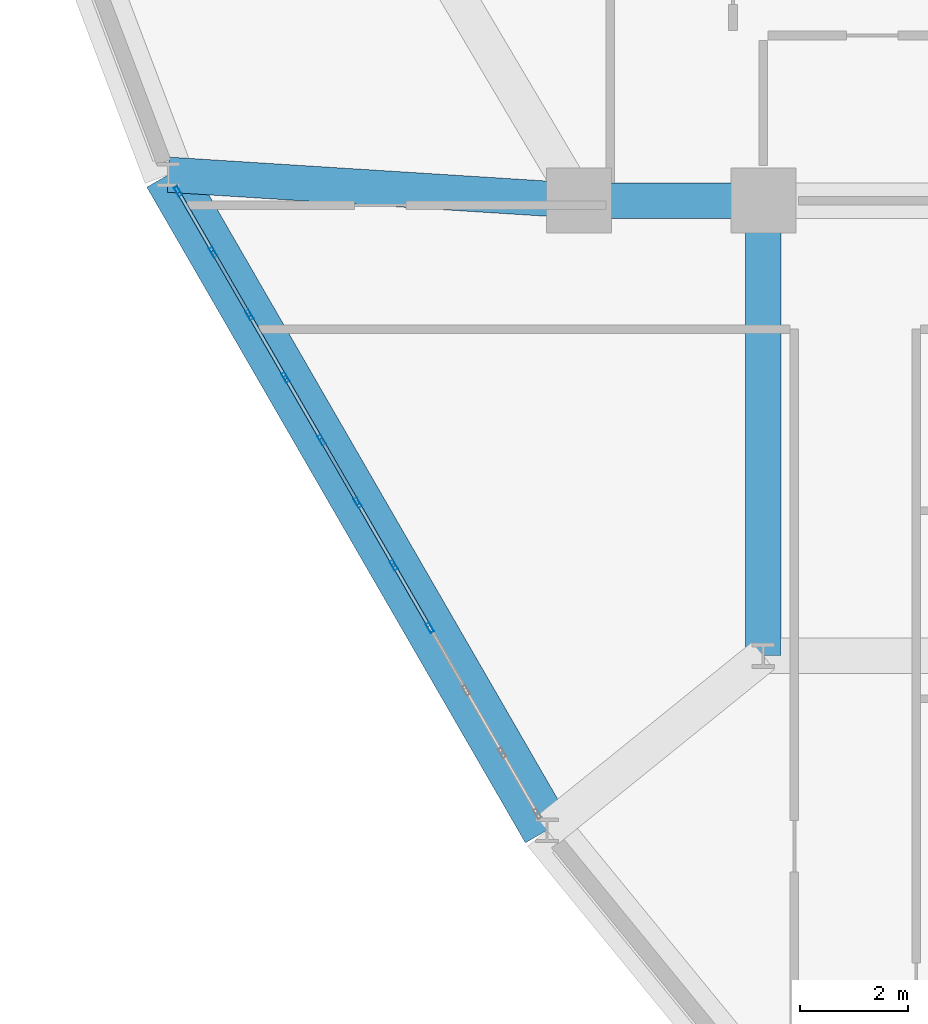
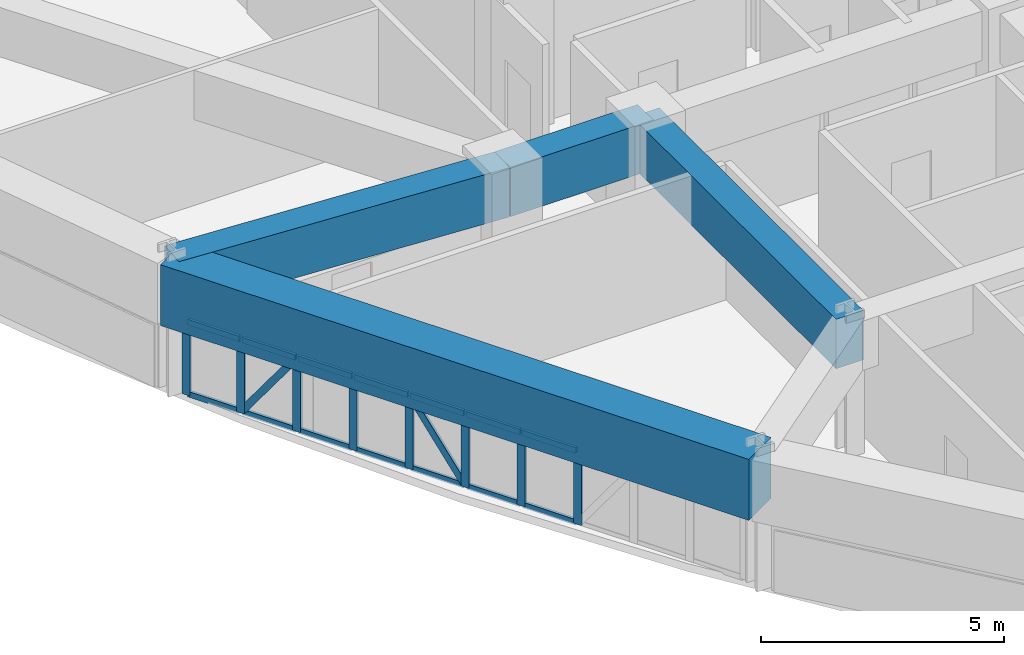
# One storey, part 4 of 15: 24 members, 4 beams, 1 element without a shape of its own.
"""IFC4 building model written with IfcOpenShell, lengths in metres."""

from ifc_helpers import new_model, si_unit, derived_unit, direction, frame, origin, origin_2d, place, context, subcontext, project, spatial, rectangle, hollow_rectangle, extrude, source, transform, mapped, material, layer, layer_set, material_profile, profile_set, type_object, element, aggregate, save


model = new_model("IFC4")

# Units and contexts
model_context = context("Model", 3, precision=1e-05, world=origin(), true_north=direction((0.0, 1.0)))
body_context = subcontext(model_context, "Body", "Model", "MODEL_VIEW")
ifc_project = project(units=[si_unit("LENGTHUNIT", "METRE"), si_unit("AREAUNIT", "SQUARE_METRE"), si_unit("VOLUMEUNIT", "CUBIC_METRE"), si_unit("PLANEANGLEUNIT", "RADIAN"), si_unit("MASSUNIT", "GRAM", prefix="KILO"), derived_unit("THERMALTRANSMITTANCEUNIT", [(si_unit("POWERUNIT", "WATT"), 1), (si_unit("LENGTHUNIT", "METRE"), -2), (si_unit("THERMODYNAMICTEMPERATUREUNIT", "KELVIN"), -1)])], contexts=[model_context])

# Site, building, storey
site_placement = place(None, origin())
site = spatial("IfcSite", under=ifc_project, at=site_placement, CompositionType="ELEMENT")
building_placement = place(site_placement, origin())
building = spatial("IfcBuilding", under=site, at=building_placement, Name="Korsvarv Bourse and Concert Hall", CompositionType="ELEMENT")
storey_placement = place(building_placement, frame((0.0, 0.0, 109.800048828125)))
storey = spatial("IfcBuildingStorey", under=building, at=storey_placement, Name="L27", CompositionType="ELEMENT", Elevation=109.800048828125)

# Beams
ifc_material_1 = material(Name="Concrete C50/60", Category="concrete")
ifc_material_profile_1 = material_profile(ifc_material_1, rectangle(XDim=0.64990234375, YDim=1.239990234375, at=origin_2d()), Name="RC-BM 650x1240")
ifc_profile_set_1 = profile_set([ifc_material_profile_1], Name="Concrete C50/60")
beam_type_1 = type_object("IfcBeamType", Name="BM-TR-SPN", PredefinedType="BEAM", material=ifc_profile_set_1)
shared_shape_1 = source(origin(), body_context, "Body", "SweptSolid", [
    extrude(rectangle(XDim=0.64990234375, YDim=1.239990234375, at=origin_2d()), origin(), (0.0, 0.0, 1.0), 3.400146484375),
])
beam_1_placement = place(storey_placement, frame((24.199951171875, 32.39990234375, 2.780029296875), z_axis=(1.0, 0.0, 0.0), x_axis=(0.0, 1.0, 0.0)))
element("IfcBeam", 1, at=beam_1_placement, inside=storey, type_object=beam_type_1, Name="L27 beam B-TRS", PredefinedType="BEAM", context=body_context, shape_type="MappedRepresentation", body=[
    mapped(shared_shape_1, transform((0.0, 0.0, 0.0), scale=1.0)),
])
shared_shape_2 = source(origin(), body_context, "Body", "SweptSolid", [
    extrude(rectangle(XDim=0.64990234375, YDim=1.239990234375, at=origin_2d()), origin(), (0.0, 0.0, 1.0), 8.39990234375),
])
beam_2_placement = place(storey_placement, frame((27.60009765625, 24.0, 2.780029296875), z_axis=(0.0, 1.0, 0.0), x_axis=(-1.0, 0.0, 0.0)))
element("IfcBeam", 2, at=beam_2_placement, inside=storey, type_object=beam_type_1, Name="L27 beam B-TRS", PredefinedType="BEAM", context=body_context, shape_type="MappedRepresentation", body=[
    mapped(shared_shape_2, transform((0.0, 0.0, 0.0), scale=1.0)),
])
ifc_material_profile_2 = material_profile(ifc_material_1, rectangle(XDim=0.919921875, YDim=1.530029296875, at=origin_2d()), Name="RC-BM 920x1530")
ifc_profile_set_2 = profile_set([ifc_material_profile_2], Name="Concrete C50/60")
beam_type_2 = type_object("IfcBeamType", Name="BM-TR-154", PredefinedType="BEAM", material=ifc_profile_set_2)
shared_shape_3 = source(origin(), body_context, "Body", "SweptSolid", [
    extrude(rectangle(XDim=0.919921875, YDim=1.530029296875, at=origin_2d()), origin(), (0.0, 0.0, 1.0), 13.97607421875),
])
beam_3_placement = place(storey_placement, frame((16.619140625, 32.87939453125, 2.635009765625), z_axis=(0.500003708422, -0.866023262716, 0.0), x_axis=(0.866023262716, 0.500003708422, 0.0)))
element("IfcBeam", 3, at=beam_3_placement, inside=storey, type_object=beam_type_2, Name="L27 beam B-TR6", PredefinedType="BEAM", context=body_context, shape_type="MappedRepresentation", body=[
    mapped(shared_shape_3, transform((0.0, 0.0, 0.0), scale=1.0)),
])
shared_shape_4 = source(origin(), body_context, "Body", "SweptSolid", [
    extrude(rectangle(XDim=0.64990234375, YDim=1.239990234375, at=origin_2d()), origin(), (0.0, 0.0, 1.0), 7.595947265625),
])
beam_4_placement = place(storey_placement, frame((16.619140625, 32.87939453125, 2.780029296875), z_axis=(0.998005651397, -0.063124636867, 0.0), x_axis=(0.063124636867, 0.998005651397, 0.0)))
element("IfcBeam", 4, at=beam_4_placement, inside=storey, type_object=beam_type_1, Name="L27 beam B-TRS", PredefinedType="BEAM", context=body_context, shape_type="MappedRepresentation", body=[
    mapped(shared_shape_4, transform((0.0, 0.0, 0.0), scale=1.0)),
])

# Curtain wall, members
ifc_material_2 = material(Name="Anodised aluminium and triple low-E glazing", Category="glass")
ifc_layer = layer(ifc_material_2, 0.2099609375)
ifc_layer_set = layer_set([ifc_layer], Name="Anodised aluminium and triple low-E glazing")
curtain_wall_type = type_object("IfcCurtainWallType", Name="CW-SYS-2", PredefinedType="NOTDEFINED", material=ifc_layer_set)
curtain_wall_placement = place(storey_placement, origin())
curtain_wall = element("IfcCurtainWall", 5, at=curtain_wall_placement, inside=storey, type_object=curtain_wall_type, Name="L27 CW2 curtain wall CW-L27-F07", PredefinedType="NOTDEFINED")
ifc_material_3 = material(Name="Extruded aluminium EN AW-6063 T66", Category="aluminium")
ifc_material_profile_3 = material_profile(ifc_material_3, hollow_rectangle(XDim=0.070068359375, YDim=0.18994140625, WallThickness=0.0048828125, at=origin_2d()), Name="ALU-M 70x190")
ifc_profile_set_3 = profile_set([ifc_material_profile_3], Name="Extruded aluminium EN AW-6063 T66")
member_type_1 = type_object("IfcMemberType", Name="CWM-190", PredefinedType="MULLION", material=ifc_profile_set_3)
shared_shape_5 = source(origin(), body_context, "Body", "SweptSolid", [
    extrude(hollow_rectangle(XDim=0.070068359375, YDim=0.18994140625, WallThickness=0.0048828125, at=origin_2d()), origin(), (0.0, 0.0, 1.0), 1.869873046875),
])
member_1_placement = place(storey_placement, frame((16.796875, 32.57177734375, 0.0), z_axis=(0.0, 0.0, 1.0), x_axis=(0.866021744853, 0.500006337402, 0.0)))
member_1 = element("IfcMember", 6, at=member_1_placement, type_object=member_type_1, Name="CW2 mullion 1", PredefinedType="MULLION", context=body_context, shape_type="MappedRepresentation", body=[
    mapped(shared_shape_5, transform((0.0, 0.0, 0.0), scale=1.0)),
])
member_2_placement = place(storey_placement, frame((17.446044921875, 31.447021484375, 0.0), z_axis=(0.0, 0.0, 1.0), x_axis=(0.866021744853, 0.500006337402, 0.0)))
member_2 = element("IfcMember", 7, at=member_2_placement, type_object=member_type_1, Name="CW2 mullion 2", PredefinedType="MULLION", context=body_context, shape_type="MappedRepresentation", body=[
    mapped(shared_shape_5, transform((0.0, 0.0, 0.0), scale=1.0)),
])
member_3_placement = place(storey_placement, frame((18.11279296875, 30.292236328125, 0.0), z_axis=(0.0, 0.0, 1.0), x_axis=(0.866021744853, 0.500006337402, 0.0)))
member_3 = element("IfcMember", 8, at=member_3_placement, type_object=member_type_1, Name="CW2 mullion 3", PredefinedType="MULLION", context=body_context, shape_type="MappedRepresentation", body=[
    mapped(shared_shape_5, transform((0.0, 0.0, 0.0), scale=1.0)),
])
member_4_placement = place(storey_placement, frame((18.779541015625, 29.137451171875, 0.0), z_axis=(0.0, 0.0, 1.0), x_axis=(0.866021744853, 0.500006337402, 0.0)))
member_4 = element("IfcMember", 9, at=member_4_placement, type_object=member_type_1, Name="CW2 mullion 4", PredefinedType="MULLION", context=body_context, shape_type="MappedRepresentation", body=[
    mapped(shared_shape_5, transform((0.0, 0.0, 0.0), scale=1.0)),
])
member_5_placement = place(storey_placement, frame((19.4462890625, 27.982666015625, 0.0), z_axis=(0.0, 0.0, 1.0), x_axis=(0.866021744853, 0.500006337402, 0.0)))
member_5 = element("IfcMember", 10, at=member_5_placement, type_object=member_type_1, Name="CW2 mullion 5", PredefinedType="MULLION", context=body_context, shape_type="MappedRepresentation", body=[
    mapped(shared_shape_5, transform((0.0, 0.0, 0.0), scale=1.0)),
])
member_6_placement = place(storey_placement, frame((20.113037109375, 26.82763671875, 0.0), z_axis=(0.0, 0.0, 1.0), x_axis=(0.866021744853, 0.500006337402, 0.0)))
member_6 = element("IfcMember", 11, at=member_6_placement, type_object=member_type_1, Name="CW2 mullion 6", PredefinedType="MULLION", context=body_context, shape_type="MappedRepresentation", body=[
    mapped(shared_shape_5, transform((0.0, 0.0, 0.0), scale=1.0)),
])
member_7_placement = place(storey_placement, frame((20.780029296875, 25.6728515625, 0.0), z_axis=(0.0, 0.0, 1.0), x_axis=(0.866021744853, 0.500006337402, 0.0)))
member_7 = element("IfcMember", 12, at=member_7_placement, type_object=member_type_1, Name="CW2 mullion 7", PredefinedType="MULLION", context=body_context, shape_type="MappedRepresentation", body=[
    mapped(shared_shape_5, transform((0.0, 0.0, 0.0), scale=1.0)),
])
member_8_placement = place(storey_placement, frame((21.44677734375, 24.51806640625, 0.0), z_axis=(0.0, 0.0, 1.0), x_axis=(0.866021744853, 0.500006337402, 0.0)))
member_8 = element("IfcMember", 13, at=member_8_placement, type_object=member_type_1, Name="CW2 mullion 8", PredefinedType="MULLION", context=body_context, shape_type="MappedRepresentation", body=[
    mapped(shared_shape_5, transform((0.0, 0.0, 0.0), scale=1.0)),
])
ifc_material_profile_4 = material_profile(ifc_material_3, hollow_rectangle(XDim=0.06494140625, YDim=0.139892578125, WallThickness=0.00390625, at=origin_2d()), Name="ALU-T 65x140")
ifc_profile_set_4 = profile_set([ifc_material_profile_4], Name="Extruded aluminium EN AW-6063 T66")
member_type_2 = type_object("IfcMemberType", Name="CWT-140", PredefinedType="USERDEFINED", material=ifc_profile_set_4)
shared_shape_6 = source(origin(), body_context, "Body", "SweptSolid", [
    extrude(hollow_rectangle(XDim=0.06494140625, YDim=0.139892578125, WallThickness=0.00390625, at=origin_2d()), origin(), (0.0, 0.0, 1.0), 1.228271484375),
])
member_9_placement = place(storey_placement, frame((16.814208984375, 32.541259765625, 0.032470703125), z_axis=(0.500072277755, -0.865983670182, 0.0), x_axis=(0.865983670182, 0.500072277755, 0.0)))
member_9 = element("IfcMember", 14, at=member_9_placement, type_object=member_type_2, Name="CW2 transom 1.1", ObjectType="TRANSOM", PredefinedType="USERDEFINED", context=body_context, shape_type="MappedRepresentation", body=[
    mapped(shared_shape_6, transform((0.0, 0.0, 0.0), scale=1.0)),
])
member_10_placement = place(storey_placement, frame((16.814208984375, 32.541259765625, 1.83740234375), z_axis=(0.500072277755, -0.865983670182, 0.0), x_axis=(0.865983670182, 0.500072277755, 0.0)))
member_10 = element("IfcMember", 15, at=member_10_placement, type_object=member_type_2, Name="CW2 transom 1.2", ObjectType="TRANSOM", PredefinedType="USERDEFINED", context=body_context, shape_type="MappedRepresentation", body=[
    mapped(shared_shape_6, transform((0.0, 0.0, 0.0), scale=1.0)),
])
shared_shape_7 = source(origin(), body_context, "Body", "SweptSolid", [
    extrude(hollow_rectangle(XDim=0.06494140625, YDim=0.139892578125, WallThickness=0.00390625, at=origin_2d()), origin(), (0.0, 0.0, 1.0), 1.263671875),
])
member_11_placement = place(storey_placement, frame((17.463623046875, 31.416748046875, 0.032470703125), z_axis=(0.500045805297, -0.865998956469, 0.0), x_axis=(0.865998956469, 0.500045805297, 0.0)))
member_11 = element("IfcMember", 16, at=member_11_placement, type_object=member_type_2, Name="CW2 transom 2.1", ObjectType="TRANSOM", PredefinedType="USERDEFINED", context=body_context, shape_type="MappedRepresentation", body=[
    mapped(shared_shape_7, transform((0.0, 0.0, 0.0), scale=1.0)),
])
member_12_placement = place(storey_placement, frame((17.463623046875, 31.416748046875, 1.83740234375), z_axis=(0.500045805297, -0.865998956469, 0.0), x_axis=(0.865998956469, 0.500045805297, 0.0)))
member_12 = element("IfcMember", 17, at=member_12_placement, type_object=member_type_2, Name="CW2 transom 2.2", ObjectType="TRANSOM", PredefinedType="USERDEFINED", context=body_context, shape_type="MappedRepresentation", body=[
    mapped(shared_shape_7, transform((0.0, 0.0, 0.0), scale=1.0)),
])
member_13_placement = place(storey_placement, frame((18.13037109375, 30.261962890625, 0.032470703125), z_axis=(0.500045805297, -0.865998956469, 0.0), x_axis=(0.865998956469, 0.500045805297, 0.0)))
member_13 = element("IfcMember", 18, at=member_13_placement, type_object=member_type_2, Name="CW2 transom 3.1", ObjectType="TRANSOM", PredefinedType="USERDEFINED", context=body_context, shape_type="MappedRepresentation", body=[
    mapped(shared_shape_7, transform((0.0, 0.0, 0.0), scale=1.0)),
])
member_14_placement = place(storey_placement, frame((18.13037109375, 30.261962890625, 1.83740234375), z_axis=(0.500045805297, -0.865998956469, 0.0), x_axis=(0.865998956469, 0.500045805297, 0.0)))
member_14 = element("IfcMember", 19, at=member_14_placement, type_object=member_type_2, Name="CW2 transom 3.2", ObjectType="TRANSOM", PredefinedType="USERDEFINED", context=body_context, shape_type="MappedRepresentation", body=[
    mapped(shared_shape_7, transform((0.0, 0.0, 0.0), scale=1.0)),
])
member_15_placement = place(storey_placement, frame((18.797119140625, 29.107177734375, 0.032470703125), z_axis=(0.500045805297, -0.865998956469, 0.0), x_axis=(0.865998956469, 0.500045805297, 0.0)))
member_15 = element("IfcMember", 20, at=member_15_placement, type_object=member_type_2, Name="CW2 transom 4.1", ObjectType="TRANSOM", PredefinedType="USERDEFINED", context=body_context, shape_type="MappedRepresentation", body=[
    mapped(shared_shape_7, transform((0.0, 0.0, 0.0), scale=1.0)),
])
member_16_placement = place(storey_placement, frame((18.797119140625, 29.107177734375, 1.83740234375), z_axis=(0.500045805297, -0.865998956469, 0.0), x_axis=(0.865998956469, 0.500045805297, 0.0)))
member_16 = element("IfcMember", 21, at=member_16_placement, type_object=member_type_2, Name="CW2 transom 4.2", ObjectType="TRANSOM", PredefinedType="USERDEFINED", context=body_context, shape_type="MappedRepresentation", body=[
    mapped(shared_shape_7, transform((0.0, 0.0, 0.0), scale=1.0)),
])
member_17_placement = place(storey_placement, frame((19.4638671875, 27.9521484375, 0.032470703125), z_axis=(0.500045805297, -0.865998956469, 0.0), x_axis=(0.865998956469, 0.500045805297, 0.0)))
member_17 = element("IfcMember", 22, at=member_17_placement, type_object=member_type_2, Name="CW2 transom 5.1", ObjectType="TRANSOM", PredefinedType="USERDEFINED", context=body_context, shape_type="MappedRepresentation", body=[
    mapped(shared_shape_7, transform((0.0, 0.0, 0.0), scale=1.0)),
])
member_18_placement = place(storey_placement, frame((19.4638671875, 27.9521484375, 1.83740234375), z_axis=(0.500045805297, -0.865998956469, 0.0), x_axis=(0.865998956469, 0.500045805297, 0.0)))
member_18 = element("IfcMember", 23, at=member_18_placement, type_object=member_type_2, Name="CW2 transom 5.2", ObjectType="TRANSOM", PredefinedType="USERDEFINED", context=body_context, shape_type="MappedRepresentation", body=[
    mapped(shared_shape_7, transform((0.0, 0.0, 0.0), scale=1.0)),
])
member_19_placement = place(storey_placement, frame((20.130615234375, 26.79736328125, 0.032470703125), z_axis=(0.500045805297, -0.865998956469, 0.0), x_axis=(0.865998956469, 0.500045805297, 0.0)))
member_19 = element("IfcMember", 24, at=member_19_placement, type_object=member_type_2, Name="CW2 transom 6.1", ObjectType="TRANSOM", PredefinedType="USERDEFINED", context=body_context, shape_type="MappedRepresentation", body=[
    mapped(shared_shape_7, transform((0.0, 0.0, 0.0), scale=1.0)),
])
member_20_placement = place(storey_placement, frame((20.130615234375, 26.79736328125, 1.83740234375), z_axis=(0.500045805297, -0.865998956469, 0.0), x_axis=(0.865998956469, 0.500045805297, 0.0)))
member_20 = element("IfcMember", 25, at=member_20_placement, type_object=member_type_2, Name="CW2 transom 6.2", ObjectType="TRANSOM", PredefinedType="USERDEFINED", context=body_context, shape_type="MappedRepresentation", body=[
    mapped(shared_shape_7, transform((0.0, 0.0, 0.0), scale=1.0)),
])
member_21_placement = place(storey_placement, frame((20.79736328125, 25.642578125, 0.032470703125), z_axis=(0.500045805297, -0.865998956469, 0.0), x_axis=(0.865998956469, 0.500045805297, 0.0)))
member_21 = element("IfcMember", 26, at=member_21_placement, type_object=member_type_2, Name="CW2 transom 7.1", ObjectType="TRANSOM", PredefinedType="USERDEFINED", context=body_context, shape_type="MappedRepresentation", body=[
    mapped(shared_shape_7, transform((0.0, 0.0, 0.0), scale=1.0)),
])
member_22_placement = place(storey_placement, frame((20.79736328125, 25.642578125, 1.83740234375), z_axis=(0.500045805297, -0.865998956469, 0.0), x_axis=(0.865998956469, 0.500045805297, 0.0)))
member_22 = element("IfcMember", 27, at=member_22_placement, type_object=member_type_2, Name="CW2 transom 7.2", ObjectType="TRANSOM", PredefinedType="USERDEFINED", context=body_context, shape_type="MappedRepresentation", body=[
    mapped(shared_shape_7, transform((0.0, 0.0, 0.0), scale=1.0)),
])
ifc_material_profile_5 = material_profile(ifc_material_3, hollow_rectangle(XDim=0.06494140625, YDim=0.1650390625, WallThickness=0.0048828125, at=origin_2d()), Name="ALU-M 65x165")
ifc_profile_set_5 = profile_set([ifc_material_profile_5], Name="Extruded aluminium EN AW-6063 T66")
member_type_3 = type_object("IfcMemberType", Name="CWM-165", PredefinedType="MULLION", material=ifc_profile_set_5)
shared_shape_8 = source(origin(), body_context, "Body", "SweptSolid", [
    extrude(hollow_rectangle(XDim=0.06494140625, YDim=0.1650390625, WallThickness=0.0048828125, at=origin_2d()), origin(), (0.0, 0.0, 1.0), 2.150390625),
])
member_23_placement = place(storey_placement, frame((17.463623046875, 31.416748046875, 0.06494140625), z_axis=(0.293825059629, -0.508857773283, 0.809154250377), x_axis=(0.865998956469, 0.500045805297, 0.0)))
member_23 = element("IfcMember", 28, at=member_23_placement, type_object=member_type_3, Name="CW2 diagonal mullion 2", PredefinedType="MULLION", context=body_context, shape_type="MappedRepresentation", body=[
    mapped(shared_shape_8, transform((0.0, 0.0, 0.0), scale=1.0)),
])
member_24_placement = place(storey_placement, frame((20.095703125, 26.85791015625, 0.06494140625), z_axis=(-0.293825059629, 0.508857773283, 0.809154250377), x_axis=(-0.865998956469, -0.500045805297, 0.0)))
member_24 = element("IfcMember", 29, at=member_24_placement, type_object=member_type_3, Name="CW2 diagonal mullion 5", PredefinedType="MULLION", context=body_context, shape_type="MappedRepresentation", body=[
    mapped(shared_shape_8, transform((0.0, 0.0, 0.0), scale=1.0)),
])
aggregate(curtain_wall, [member_1, member_2, member_3, member_4, member_5, member_6, member_7, member_8, member_9, member_10, member_11, member_12, member_23, member_13, member_14, member_15, member_16, member_17, member_18, member_24, member_19, member_20, member_21, member_22])

save(model, "model.ifc")
